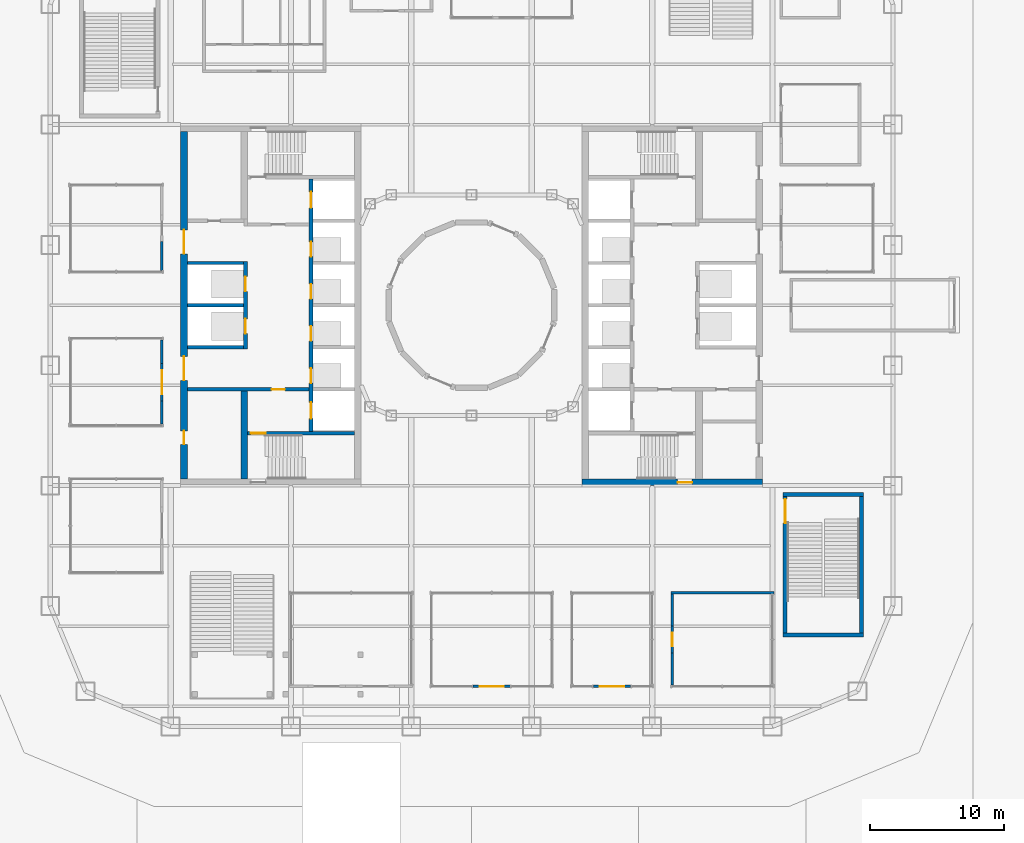
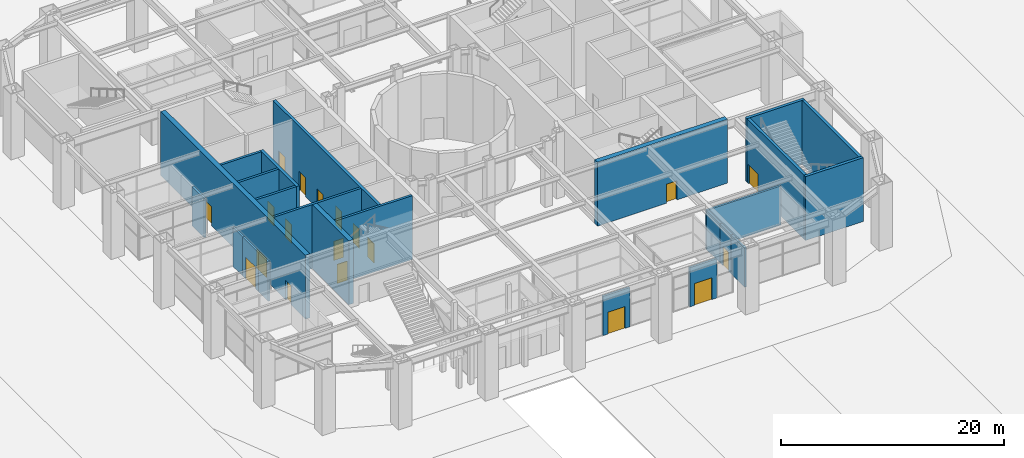
# One storey, part 13 of 20: 24 walls, 19 doors, 19 openings.
"""IFC4 building model written with IfcOpenShell, lengths in metres."""

from ifc_helpers import new_model, si_unit, direction, frame, frame_2d, origin, place, context, subcontext, project, spatial, rectangle, extrude, material, layer, layer_set, type_object, element, fill, save


model = new_model("IFC4")

# Units and contexts
model_context = context("Model", 3, precision=1e-05, world=origin(), true_north=direction((0.0, 1.0)))
body_context = subcontext(model_context, "Body", "Model", "MODEL_VIEW")
ifc_project = project(units=[si_unit("LENGTHUNIT", "METRE"), si_unit("AREAUNIT", "SQUARE_METRE"), si_unit("VOLUMEUNIT", "CUBIC_METRE"), si_unit("PLANEANGLEUNIT", "RADIAN"), si_unit("MASSUNIT", "GRAM", prefix="KILO")], contexts=[model_context])

# Site, building, storey
site_placement = place(None, origin())
site = spatial("IfcSite", under=ifc_project, at=site_placement, CompositionType="ELEMENT")
building_placement = place(site_placement, origin())
building = spatial("IfcBuilding", under=site, at=building_placement, Name="Siwar Civic Tower", CompositionType="ELEMENT")
storey_placement = place(building_placement, origin())
storey = spatial("IfcBuildingStorey", under=building, at=storey_placement, Name="L00", CompositionType="ELEMENT", Elevation=0.0)

# Wall, opening, door
ifc_material_1 = material(Name="Concrete C60/75", Category="concrete")
ifc_layer_1 = layer(ifc_material_1, 0.25)
ifc_layer_set_1 = layer_set([ifc_layer_1], Name="Concrete C60/75")
wall_type_1 = type_object("IfcWallType", Name="CORE-WALL-RC250", PredefinedType="SHEAR", material=ifc_layer_set_1)
wall_1_placement = place(storey_placement, frame((-12.14990234375, -6.300048828125, 0.0), z_axis=(0.0, 0.0, 1.0), x_axis=(-1.0, 0.0, 0.0)))
wall_1 = element("IfcWall", 1, at=wall_1_placement, inside=storey, type_object=wall_type_1, Name="Core wall W", PredefinedType="SHEAR", context=body_context, shape_type="SweptSolid", body=[
    extrude(rectangle(XDim=9.10009765625, YDim=0.25, at=frame_2d((4.550048828125, 0.0))), origin(), (0.0, 0.0, 1.0), 7.0),
])
opening_1_placement = place(wall_1_placement, frame((1.800048828125, 0.0, 0.0)))
opening_1 = element("IfcOpeningElement", 2, at=opening_1_placement, cuts=wall_1, Name="Opening L00-CW02", PredefinedType="OPENING", context=body_context, shape_type="SweptSolid", body=[
    extrude(rectangle(XDim=1.0, YDim=2.10009765625, at=frame_2d((0.5, 1.050048828125))), frame((0.0, 0.135009765625, 0.0), z_axis=(0.0, -1.0, 0.0), x_axis=(1.0, 0.0, 0.0)), (0.0, 0.0, 1.0), 0.27001953125),
])
ifc_material_2 = material(Name="Steel door leaf", Category="steel")
door_type_1 = type_object("IfcDoorType", Name="CORE-DOOR-FD30S", OperationType="SINGLE_SWING_LEFT", PredefinedType="DOOR", material=ifc_material_2)
door_1_placement = place(opening_1_placement, origin())
door_1 = element("IfcDoor", 3, at=door_1_placement, inside=storey, type_object=door_type_1, Name="Service lobby door L00-CW02", OperationType="SINGLE_SWING_RIGHT", OverallHeight=2.10009765625, OverallWidth=1.0, PredefinedType="DOOR", context=body_context, shape_type="SweptSolid", body=[
    extrude(rectangle(XDim=1.0, YDim=2.10009765625, at=frame_2d((0.5, 1.050048828125))), frame((0.0, 0.02490234375, 0.0), z_axis=(0.0, -1.0, 0.0), x_axis=(1.0, 0.0, 0.0)), (0.0, 0.0, 1.0), 0.050048828125),
])
fill(opening_1, door_1)

# Walls
for number, where, z_axis, x_axis, name in (
    (4, (-17.050048828125, 0.0, 0.0), (0.0, 0.0, 1.0), (-1.0, 0.0, 0.0), "Core wall W"),
    (5, (-17.050048828125, 3.14990234375, 0.0), (0.0, 0.0, 1.0), (-1.0, 0.0, 0.0), "Core wall W"),
    (6, (-17.050048828125, -3.14990234375, 0.0), (0.0, 0.0, 1.0), (-1.0, 0.0, 0.0), "Core wall W"),
):
    element("IfcWall", number, at=place(storey_placement, frame(where, z_axis=z_axis, x_axis=x_axis)), inside=storey, type_object=wall_type_1, Name=name, PredefinedType="SHEAR", context=body_context, shape_type="SweptSolid", body=[
        extrude(rectangle(XDim=4.199951171875, YDim=0.25, at=frame_2d((2.10009765625, 0.0))), origin(), (0.0, 0.0, 1.0), 7.0),
    ])

# Wall, opening, door
wall_2_placement = place(storey_placement, frame((-8.75, -9.574951171875, 0.0), z_axis=(0.0, 0.0, 1.0), x_axis=(-1.0, 0.0, 0.0)))
wall_2 = element("IfcWall", 7, at=wall_2_placement, inside=storey, type_object=wall_type_1, Name="Core wall W", PredefinedType="SHEAR", context=body_context, shape_type="SweptSolid", body=[
    extrude(rectangle(XDim=8.0, YDim=0.25, at=frame_2d((4.0, 0.0))), origin(), (0.0, 0.0, 1.0), 7.0),
])
opening_2_placement = place(wall_2_placement, frame((6.64990234375, 0.0, 0.0)))
opening_2 = element("IfcOpeningElement", 8, at=opening_2_placement, cuts=wall_2, Name="Opening L00-CW04", PredefinedType="OPENING", context=body_context, shape_type="SweptSolid", body=[
    extrude(rectangle(XDim=1.10009765625, YDim=2.10009765625, at=frame_2d((0.550048828125, 1.050048828125))), frame((0.0, 0.135009765625, 0.0), z_axis=(0.0, -1.0, 0.0), x_axis=(1.0, 0.0, 0.0)), (0.0, 0.0, 1.0), 0.27001953125),
])
ifc_material_3 = material(Name="Steel door leaf", Category="steel")
door_type_2 = type_object("IfcDoorType", Name="CORE-DOOR-FD60S", OperationType="SINGLE_SWING_LEFT", PredefinedType="DOOR", material=ifc_material_3)
door_2_placement = place(opening_2_placement, origin())
door_2 = element("IfcDoor", 9, at=door_2_placement, inside=storey, type_object=door_type_2, Name="Stair door L00-CW04", OperationType="SINGLE_SWING_LEFT", OverallHeight=2.10009765625, OverallWidth=1.10009765625, PredefinedType="DOOR", context=body_context, shape_type="SweptSolid", body=[
    extrude(rectangle(XDim=1.10009765625, YDim=2.10009765625, at=frame_2d((0.550048828125, 1.050048828125))), frame((0.0, 0.02490234375, 0.0), z_axis=(0.0, -1.0, 0.0), x_axis=(1.0, 0.0, 0.0)), (0.0, 0.0, 1.0), 0.050048828125),
])
fill(opening_2, door_2)

# Wall, openings, doors
ifc_material_4 = material(Name="Concrete C60/75", Category="concrete")
ifc_layer_2 = layer(ifc_material_4, 0.300048828125)
ifc_layer_set_2 = layer_set([ifc_layer_2], Name="Concrete C60/75")
wall_type_2 = type_object("IfcWallType", Name="CORE-WALL-RC300", PredefinedType="SHEAR", material=ifc_layer_set_2)
wall_3_placement = place(storey_placement, frame((-12.0, -9.449951171875, 0.0), z_axis=(0.0, 0.0, 1.0), x_axis=(0.0, 1.0, 0.0)))
wall_3 = element("IfcWall", 10, at=wall_3_placement, inside=storey, type_object=wall_type_2, Name="Core wall W", PredefinedType="SHEAR", context=body_context, shape_type="SweptSolid", body=[
    extrude(rectangle(XDim=18.89990234375, YDim=0.300048828125, at=frame_2d((9.449951171875, 0.0))), origin(), (0.0, 0.0, 1.0), 7.0),
])
opening_3_placement = place(wall_3_placement, frame((3.625, 0.0, 0.0)))
opening_3 = element("IfcOpeningElement", 11, at=opening_3_placement, cuts=wall_3, Name="Opening L00-CW09", PredefinedType="OPENING", context=body_context, shape_type="SweptSolid", body=[
    extrude(rectangle(XDim=1.10009765625, YDim=2.10009765625, at=frame_2d((0.550048828125, 1.050048828125))), frame((0.0, 0.16015625, 0.0), z_axis=(0.0, -1.0, 0.0), x_axis=(1.0, 0.0, 0.0)), (0.0, 0.0, 1.0), 0.320068359375),
])
opening_4_placement = place(wall_3_placement, frame((6.77490234375, 0.0, 0.0)))
opening_4 = element("IfcOpeningElement", 12, at=opening_4_placement, cuts=wall_3, Name="Opening L00-CW10", PredefinedType="OPENING", context=body_context, shape_type="SweptSolid", body=[
    extrude(rectangle(XDim=1.10009765625, YDim=2.10009765625, at=frame_2d((0.550048828125, 1.050048828125))), frame((0.0, 0.16015625, 0.0), z_axis=(0.0, -1.0, 0.0), x_axis=(1.0, 0.0, 0.0)), (0.0, 0.0, 1.0), 0.320068359375),
])
opening_5_placement = place(wall_3_placement, frame((9.925048828125, 0.0, 0.0)))
opening_5 = element("IfcOpeningElement", 13, at=opening_5_placement, cuts=wall_3, Name="Opening L00-CW11", PredefinedType="OPENING", context=body_context, shape_type="SweptSolid", body=[
    extrude(rectangle(XDim=1.10009765625, YDim=2.10009765625, at=frame_2d((0.550048828125, 1.050048828125))), frame((0.0, 0.16015625, 0.0), z_axis=(0.0, -1.0, 0.0), x_axis=(1.0, 0.0, 0.0)), (0.0, 0.0, 1.0), 0.320068359375),
])
opening_6_placement = place(wall_3_placement, frame((13.074951171875, 0.0, 0.0)))
opening_6 = element("IfcOpeningElement", 14, at=opening_6_placement, cuts=wall_3, Name="Opening L00-CW12", PredefinedType="OPENING", context=body_context, shape_type="SweptSolid", body=[
    extrude(rectangle(XDim=1.10009765625, YDim=2.10009765625, at=frame_2d((0.550048828125, 1.050048828125))), frame((0.0, 0.16015625, 0.0), z_axis=(0.0, -1.0, 0.0), x_axis=(1.0, 0.0, 0.0)), (0.0, 0.0, 1.0), 0.320068359375),
])
opening_7_placement = place(wall_3_placement, frame((16.72509765625, 0.0, 0.0)))
opening_7 = element("IfcOpeningElement", 15, at=opening_7_placement, cuts=wall_3, Name="Opening L00-CW15", PredefinedType="OPENING", context=body_context, shape_type="SweptSolid", body=[
    extrude(rectangle(XDim=1.199951171875, YDim=2.10009765625, at=frame_2d((0.60009765625, 1.050048828125))), frame((0.0, 0.16015625, 0.0), z_axis=(0.0, -1.0, 0.0), x_axis=(1.0, 0.0, 0.0)), (0.0, 0.0, 1.0), 0.320068359375),
])
opening_8_placement = place(wall_3_placement, frame((0.97509765625, 0.0, 0.0)))
opening_8 = element("IfcOpeningElement", 16, at=opening_8_placement, cuts=wall_3, Name="Opening L00-CW16", PredefinedType="OPENING", context=body_context, shape_type="SweptSolid", body=[
    extrude(rectangle(XDim=1.199951171875, YDim=2.10009765625, at=frame_2d((0.60009765625, 1.050048828125))), frame((0.0, 0.16015625, 0.0), z_axis=(0.0, -1.0, 0.0), x_axis=(1.0, 0.0, 0.0)), (0.0, 0.0, 1.0), 0.320068359375),
])
ifc_material_5 = material(Name="Steel door leaf", Category="steel")
door_type_3 = type_object("IfcDoorType", Name="CORE-DOOR-LD", OperationType="DOUBLE_DOOR_SLIDING", PredefinedType="DOOR", material=ifc_material_5)
door_3_placement = place(opening_3_placement, origin())
door_3 = element("IfcDoor", 17, at=door_3_placement, inside=storey, type_object=door_type_3, Name="Landing door LR1 L00-CW09", OperationType="DOUBLE_DOOR_SLIDING", OverallHeight=2.10009765625, OverallWidth=1.10009765625, PredefinedType="DOOR", context=body_context, shape_type="SweptSolid", body=[
    extrude(rectangle(XDim=1.10009765625, YDim=2.10009765625, at=frame_2d((0.550048828125, 1.050048828125))), frame((0.0, 0.02490234375, 0.0), z_axis=(0.0, -1.0, 0.0), x_axis=(1.0, 0.0, 0.0)), (0.0, 0.0, 1.0), 0.050048828125),
])
fill(opening_3, door_3)
door_4_placement = place(opening_4_placement, origin())
door_4 = element("IfcDoor", 18, at=door_4_placement, inside=storey, type_object=door_type_3, Name="Landing door LR2 L00-CW10", OperationType="DOUBLE_DOOR_SLIDING", OverallHeight=2.10009765625, OverallWidth=1.10009765625, PredefinedType="DOOR", context=body_context, shape_type="SweptSolid", body=[
    extrude(rectangle(XDim=1.10009765625, YDim=2.10009765625, at=frame_2d((0.550048828125, 1.050048828125))), frame((0.0, 0.02490234375, 0.0), z_axis=(0.0, -1.0, 0.0), x_axis=(1.0, 0.0, 0.0)), (0.0, 0.0, 1.0), 0.050048828125),
])
fill(opening_4, door_4)
door_5_placement = place(opening_5_placement, origin())
door_5 = element("IfcDoor", 19, at=door_5_placement, inside=storey, type_object=door_type_3, Name="Landing door LR3 L00-CW11", OperationType="DOUBLE_DOOR_SLIDING", OverallHeight=2.10009765625, OverallWidth=1.10009765625, PredefinedType="DOOR", context=body_context, shape_type="SweptSolid", body=[
    extrude(rectangle(XDim=1.10009765625, YDim=2.10009765625, at=frame_2d((0.550048828125, 1.050048828125))), frame((0.0, 0.02490234375, 0.0), z_axis=(0.0, -1.0, 0.0), x_axis=(1.0, 0.0, 0.0)), (0.0, 0.0, 1.0), 0.050048828125),
])
fill(opening_5, door_5)
door_6_placement = place(opening_6_placement, origin())
door_6 = element("IfcDoor", 20, at=door_6_placement, inside=storey, type_object=door_type_3, Name="Landing door LR4 L00-CW12", OperationType="DOUBLE_DOOR_SLIDING", OverallHeight=2.10009765625, OverallWidth=1.10009765625, PredefinedType="DOOR", context=body_context, shape_type="SweptSolid", body=[
    extrude(rectangle(XDim=1.10009765625, YDim=2.10009765625, at=frame_2d((0.550048828125, 1.050048828125))), frame((0.0, 0.02490234375, 0.0), z_axis=(0.0, -1.0, 0.0), x_axis=(1.0, 0.0, 0.0)), (0.0, 0.0, 1.0), 0.050048828125),
])
fill(opening_6, door_6)
ifc_material_6 = material(Name="Steel door leaf", Category="steel")
door_type_4 = type_object("IfcDoorType", Name="CORE-DOOR-LDW", OperationType="DOUBLE_DOOR_SLIDING", PredefinedType="DOOR", material=ifc_material_6)
door_7_placement = place(opening_7_placement, origin())
door_7 = element("IfcDoor", 21, at=door_7_placement, inside=storey, type_object=door_type_4, Name="Landing door FF1 L00-CW15", OperationType="DOUBLE_DOOR_SLIDING", OverallHeight=2.10009765625, OverallWidth=1.199951171875, PredefinedType="DOOR", context=body_context, shape_type="SweptSolid", body=[
    extrude(rectangle(XDim=1.199951171875, YDim=2.10009765625, at=frame_2d((0.60009765625, 1.050048828125))), frame((0.0, 0.02490234375, 0.0), z_axis=(0.0, -1.0, 0.0), x_axis=(1.0, 0.0, 0.0)), (0.0, 0.0, 1.0), 0.050048828125),
])
fill(opening_7, door_7)
door_8_placement = place(opening_8_placement, origin())
door_8 = element("IfcDoor", 22, at=door_8_placement, inside=storey, type_object=door_type_4, Name="Landing door SV1 L00-CW16", OperationType="DOUBLE_DOOR_SLIDING", OverallHeight=2.10009765625, OverallWidth=1.199951171875, PredefinedType="DOOR", context=body_context, shape_type="SweptSolid", body=[
    extrude(rectangle(XDim=1.199951171875, YDim=2.10009765625, at=frame_2d((0.60009765625, 1.050048828125))), frame((0.0, 0.02490234375, 0.0), z_axis=(0.0, -1.0, 0.0), x_axis=(1.0, 0.0, 0.0)), (0.0, 0.0, 1.0), 0.050048828125),
])
fill(opening_8, door_8)

wall_4_placement = place(storey_placement, frame((-16.89990234375, -3.27490234375, 0.0), z_axis=(0.0, 0.0, 1.0), x_axis=(0.0, 1.0, 0.0)))
wall_4 = element("IfcWall", 23, at=wall_4_placement, inside=storey, type_object=wall_type_2, Name="Core wall W", PredefinedType="SHEAR", context=body_context, shape_type="SweptSolid", body=[
    extrude(rectangle(XDim=6.5498046875, YDim=0.300048828125, at=frame_2d((3.27490234375, 0.0))), origin(), (0.0, 0.0, 1.0), 7.0),
])
opening_9_placement = place(wall_4_placement, frame((1.14990234375, 0.0, 0.0)))
opening_9 = element("IfcOpeningElement", 24, at=opening_9_placement, cuts=wall_4, Name="Opening L00-CW13", PredefinedType="OPENING", context=body_context, shape_type="SweptSolid", body=[
    extrude(rectangle(XDim=1.10009765625, YDim=2.10009765625, at=frame_2d((0.550048828125, 1.050048828125))), frame((0.0, 0.16015625, 0.0), z_axis=(0.0, -1.0, 0.0), x_axis=(1.0, 0.0, 0.0)), (0.0, 0.0, 1.0), 0.320068359375),
])
opening_10_placement = place(wall_4_placement, frame((4.300048828125, 0.0, 0.0)))
opening_10 = element("IfcOpeningElement", 25, at=opening_10_placement, cuts=wall_4, Name="Opening L00-CW14", PredefinedType="OPENING", context=body_context, shape_type="SweptSolid", body=[
    extrude(rectangle(XDim=1.10009765625, YDim=2.10009765625, at=frame_2d((0.550048828125, 1.050048828125))), frame((0.0, 0.16015625, 0.0), z_axis=(0.0, -1.0, 0.0), x_axis=(1.0, 0.0, 0.0)), (0.0, 0.0, 1.0), 0.320068359375),
])
door_9_placement = place(opening_9_placement, origin())
door_9 = element("IfcDoor", 26, at=door_9_placement, inside=storey, type_object=door_type_3, Name="Landing door SH1 L00-CW13", OperationType="DOUBLE_DOOR_SLIDING", OverallHeight=2.10009765625, OverallWidth=1.10009765625, PredefinedType="DOOR", context=body_context, shape_type="SweptSolid", body=[
    extrude(rectangle(XDim=1.10009765625, YDim=2.10009765625, at=frame_2d((0.550048828125, 1.050048828125))), frame((0.0, 0.02490234375, 0.0), z_axis=(0.0, -1.0, 0.0), x_axis=(1.0, 0.0, 0.0)), (0.0, 0.0, 1.0), 0.050048828125),
])
fill(opening_9, door_9)
door_10_placement = place(opening_10_placement, origin())
door_10 = element("IfcDoor", 27, at=door_10_placement, inside=storey, type_object=door_type_3, Name="Landing door SH2 L00-CW14", OperationType="DOUBLE_DOOR_SLIDING", OverallHeight=2.10009765625, OverallWidth=1.10009765625, PredefinedType="DOOR", context=body_context, shape_type="SweptSolid", body=[
    extrude(rectangle(XDim=1.10009765625, YDim=2.10009765625, at=frame_2d((0.550048828125, 1.050048828125))), frame((0.0, 0.02490234375, 0.0), z_axis=(0.0, -1.0, 0.0), x_axis=(1.0, 0.0, 0.0)), (0.0, 0.0, 1.0), 0.050048828125),
])
fill(opening_10, door_10)

# Wall
ifc_material_7 = material(Name="Concrete C60/75", Category="concrete")
ifc_layer_3 = layer(ifc_material_7, 0.5)
ifc_layer_set_3 = layer_set([ifc_layer_3], Name="Concrete C60/75")
wall_type_3 = type_object("IfcWallType", Name="CORE-WALL-RC500", PredefinedType="SHEAR", material=ifc_layer_set_3)
wall_5_placement = place(storey_placement, frame((-17.0, -13.0, 0.0), z_axis=(0.0, 0.0, 1.0), x_axis=(0.0, 1.0, 0.0)))
element("IfcWall", 28, at=wall_5_placement, inside=storey, type_object=wall_type_3, Name="Core wall W", PredefinedType="SHEAR", context=body_context, shape_type="SweptSolid", body=[
    extrude(rectangle(XDim=6.574951171875, YDim=0.5, at=frame_2d((3.28759765625, 0.0))), origin(), (0.0, 0.0, 1.0), 7.0),
])

# Wall, openings, doors
ifc_material_8 = material(Name="Concrete C60/75", Category="concrete")
ifc_layer_4 = layer(ifc_material_8, 0.5)
ifc_layer_set_4 = layer_set([ifc_layer_4], Name="Concrete C60/75")
wall_type_4 = type_object("IfcWallType", Name="CORE-WALL-RC500-EXT", PredefinedType="SHEAR", material=ifc_layer_set_4)
wall_6_placement = place(storey_placement, frame((-21.5, -13.0, 0.0), z_axis=(0.0, 0.0, 1.0), x_axis=(0.0, 1.0, 0.0)))
wall_6 = element("IfcWall", 29, at=wall_6_placement, inside=storey, type_object=wall_type_4, Name="Core wall W", PredefinedType="SHEAR", context=body_context, shape_type="SweptSolid", body=[
    extrude(rectangle(XDim=26.0, YDim=0.5, at=frame_2d((13.0, 0.0))), origin(), (0.0, 0.0, 1.0), 7.0),
])
opening_11_placement = place(wall_6_placement, frame((16.824951171875, 0.0, 0.0)))
opening_11 = element("IfcOpeningElement", 30, at=opening_11_placement, cuts=wall_6, Name="Opening L00-CW05", PredefinedType="OPENING", context=body_context, shape_type="SweptSolid", body=[
    extrude(rectangle(XDim=1.800048828125, YDim=2.10009765625, at=frame_2d((0.89990234375, 1.050048828125))), frame((0.0, 0.260009765625, 0.0), z_axis=(0.0, -1.0, 0.0), x_axis=(1.0, 0.0, 0.0)), (0.0, 0.0, 1.0), 0.52001953125),
])
opening_12_placement = place(wall_6_placement, frame((7.375, 0.0, 0.0)))
opening_12 = element("IfcOpeningElement", 31, at=opening_12_placement, cuts=wall_6, Name="Opening L00-CW06", PredefinedType="OPENING", context=body_context, shape_type="SweptSolid", body=[
    extrude(rectangle(XDim=1.800048828125, YDim=2.10009765625, at=frame_2d((0.89990234375, 1.050048828125))), frame((0.0, 0.260009765625, 0.0), z_axis=(0.0, -1.0, 0.0), x_axis=(1.0, 0.0, 0.0)), (0.0, 0.0, 1.0), 0.52001953125),
])
opening_13_placement = place(wall_6_placement, frame((2.60009765625, 0.0, 0.0)))
opening_13 = element("IfcOpeningElement", 32, at=opening_13_placement, cuts=wall_6, Name="Opening L00-CW18", PredefinedType="OPENING", context=body_context, shape_type="SweptSolid", body=[
    extrude(rectangle(XDim=1.0, YDim=2.10009765625, at=frame_2d((0.5, 1.050048828125))), frame((0.0, 0.260009765625, 0.0), z_axis=(0.0, -1.0, 0.0), x_axis=(1.0, 0.0, 0.0)), (0.0, 0.0, 1.0), 0.52001953125),
])
ifc_material_9 = material(Name="Steel door leaf", Category="steel")
door_type_5 = type_object("IfcDoorType", Name="CORE-DOOR-PORT-EXT", OperationType="DOUBLE_DOOR_DOUBLE_SWING", PredefinedType="DOOR", material=ifc_material_9)
door_11_placement = place(opening_11_placement, origin())
door_11 = element("IfcDoor", 33, at=door_11_placement, inside=storey, type_object=door_type_5, Name="Main entrance L00-CW05", OperationType="DOUBLE_DOOR_DOUBLE_SWING", OverallHeight=2.10009765625, OverallWidth=1.800048828125, PredefinedType="DOOR", context=body_context, shape_type="SweptSolid", body=[
    extrude(rectangle(XDim=1.800048828125, YDim=2.10009765625, at=frame_2d((0.89990234375, 1.050048828125))), frame((0.0, 0.02490234375, 0.0), z_axis=(0.0, -1.0, 0.0), x_axis=(1.0, 0.0, 0.0)), (0.0, 0.0, 1.0), 0.050048828125),
])
fill(opening_11, door_11)
door_12_placement = place(opening_12_placement, origin())
door_12 = element("IfcDoor", 34, at=door_12_placement, inside=storey, type_object=door_type_5, Name="Main entrance L00-CW06", OperationType="DOUBLE_DOOR_DOUBLE_SWING", OverallHeight=2.10009765625, OverallWidth=1.800048828125, PredefinedType="DOOR", context=body_context, shape_type="SweptSolid", body=[
    extrude(rectangle(XDim=1.800048828125, YDim=2.10009765625, at=frame_2d((0.89990234375, 1.050048828125))), frame((0.0, 0.02490234375, 0.0), z_axis=(0.0, -1.0, 0.0), x_axis=(1.0, 0.0, 0.0)), (0.0, 0.0, 1.0), 0.050048828125),
])
fill(opening_12, door_12)
ifc_material_10 = material(Name="Steel door leaf", Category="steel")
door_type_6 = type_object("IfcDoorType", Name="CORE-DOOR-ROOM-EXT", OperationType="SINGLE_SWING_LEFT", PredefinedType="DOOR", material=ifc_material_10)
door_13_placement = place(opening_13_placement, origin())
door_13 = element("IfcDoor", 35, at=door_13_placement, inside=storey, type_object=door_type_6, Name="Core room door L00-CW18", OperationType="SINGLE_SWING_RIGHT", OverallHeight=2.10009765625, OverallWidth=1.0, PredefinedType="DOOR", context=body_context, shape_type="SweptSolid", body=[
    extrude(rectangle(XDim=1.0, YDim=2.10009765625, at=frame_2d((0.5, 1.050048828125))), frame((0.0, 0.02490234375, 0.0), z_axis=(0.0, -1.0, 0.0), x_axis=(1.0, 0.0, 0.0)), (0.0, 0.0, 1.0), 0.050048828125),
])
fill(opening_13, door_13)

# Wall, opening, door
wall_7_placement = place(storey_placement, frame((8.25, -13.25, 0.0), z_axis=(0.0, 0.0, 1.0), x_axis=(1.0, 0.0, 0.0)))
wall_7 = element("IfcWall", 36, at=wall_7_placement, inside=storey, type_object=wall_type_4, Name="Core wall E", PredefinedType="SHEAR", context=body_context, shape_type="SweptSolid", body=[
    extrude(rectangle(XDim=13.5, YDim=0.5, at=frame_2d((6.75, 0.0))), origin(), (0.0, 0.0, 1.0), 7.0),
])
opening_14_placement = place(wall_7_placement, frame((7.14990234375, 0.0, 0.0)))
opening_14 = element("IfcOpeningElement", 37, at=opening_14_placement, cuts=wall_7, Name="Opening L00-CE08", PredefinedType="OPENING", context=body_context, shape_type="SweptSolid", body=[
    extrude(rectangle(XDim=1.10009765625, YDim=2.10009765625, at=frame_2d((0.550048828125, 1.050048828125))), frame((0.0, 0.260009765625, 0.0), z_axis=(0.0, -1.0, 0.0), x_axis=(1.0, 0.0, 0.0)), (0.0, 0.0, 1.0), 0.52001953125),
])
ifc_material_11 = material(Name="Steel door leaf", Category="steel")
door_type_7 = type_object("IfcDoorType", Name="CORE-DOOR-FD60S-EXT", OperationType="SINGLE_SWING_LEFT", PredefinedType="DOOR", material=ifc_material_11)
door_14_placement = place(opening_14_placement, frame((1.10009765625, 0.0, 0.0), z_axis=(0.0, 0.0, 1.0), x_axis=(-1.0, 0.0, 0.0)))
door_14 = element("IfcDoor", 38, at=door_14_placement, inside=storey, type_object=door_type_7, Name="Main exit ST4 L00-CE08", OperationType="SINGLE_SWING_LEFT", OverallHeight=2.10009765625, OverallWidth=1.10009765625, PredefinedType="DOOR", context=body_context, shape_type="SweptSolid", body=[
    extrude(rectangle(XDim=1.10009765625, YDim=2.10009765625, at=frame_2d((0.550048828125, 1.050048828125))), frame((0.0, 0.025146484375, 0.0), z_axis=(0.0, -1.0, 0.0), x_axis=(1.0, 0.0, 0.0)), (0.0, 0.0, 1.0), 0.050048828125),
])
fill(opening_14, door_14)

ifc_material_12 = material(Name="Concrete C60/75", Category="concrete")
ifc_layer_5 = layer(ifc_material_12, 0.300048828125)
ifc_layer_set_5 = layer_set([ifc_layer_5], Name="Concrete C60/75")
wall_type_5 = type_object("IfcWallType", Name="GND-ES-WALL", PredefinedType="SHEAR", material=ifc_layer_set_5)
wall_8_placement = place(storey_placement, frame((23.449951171875, -14.300048828125, 0.0), z_axis=(0.0, 0.0, 1.0), x_axis=(0.0, -1.0, 0.0)))
wall_8 = element("IfcWall", 39, at=wall_8_placement, inside=storey, type_object=wall_type_5, Name="Stair wall ST6", PredefinedType="SHEAR", context=body_context, shape_type="SweptSolid", body=[
    extrude(rectangle(XDim=10.199951171875, YDim=0.300048828125, at=frame_2d((5.10009765625, 0.0))), origin(), (0.0, 0.0, 1.0), 7.0),
])
opening_15_placement = place(wall_8_placement, frame((0.199951171875, 0.0, 0.0)))
opening_15 = element("IfcOpeningElement", 40, at=opening_15_placement, cuts=wall_8, Name="Opening SX1", PredefinedType="OPENING", context=body_context, shape_type="SweptSolid", body=[
    extrude(rectangle(XDim=1.800048828125, YDim=2.10009765625, at=frame_2d((0.89990234375, 1.050048828125))), frame((0.0, 0.16015625, 0.0), z_axis=(0.0, -1.0, 0.0), x_axis=(1.0, 0.0, 0.0)), (0.0, 0.0, 1.0), 0.320068359375),
])
ifc_material_13 = material(Name="Steel door leaf", Category="steel")
door_type_8 = type_object("IfcDoorType", Name="GND-ES-DOOR", OperationType="DOUBLE_DOOR_SINGLE_SWING", PredefinedType="DOOR", material=ifc_material_13)
door_15_placement = place(opening_15_placement, frame((1.800048828125, 0.0, 0.0), z_axis=(0.0, 0.0, 1.0), x_axis=(-1.0, 0.0, 0.0)))
door_15 = element("IfcDoor", 41, at=door_15_placement, inside=storey, type_object=door_type_8, Name="Main exit ST6", OperationType="DOUBLE_DOOR_SINGLE_SWING", OverallHeight=2.10009765625, OverallWidth=1.800048828125, PredefinedType="DOOR", context=body_context, shape_type="SweptSolid", body=[
    extrude(rectangle(XDim=1.800048828125, YDim=2.10009765625, at=frame_2d((0.900146484375, 1.050048828125))), frame((0.0, 0.025146484375, 0.0), z_axis=(0.0, -1.0, 0.0), x_axis=(1.0, 0.0, 0.0)), (0.0, 0.0, 1.0), 0.050048828125),
])
fill(opening_15, door_15)

# Walls
for number, where, z_axis, x_axis, name in (
    (42, (29.300048828125, -24.64990234375, 0.0), (0.0, 0.0, 1.0), (-1.0, 0.0, 0.0), "Stair wall ST6"),
    (43, (29.300048828125, -14.14990234375, 0.0), (0.0, 0.0, 1.0), (-1.0, 0.0, 0.0), "Stair wall ST6"),
):
    element("IfcWall", number, at=place(storey_placement, frame(where, z_axis=z_axis, x_axis=x_axis)), inside=storey, type_object=wall_type_5, Name=name, PredefinedType="SHEAR", context=body_context, shape_type="SweptSolid", body=[
        extrude(rectangle(XDim=6.0, YDim=0.300048828125, at=frame_2d((3.0, 0.0))), origin(), (0.0, 0.0, 1.0), 7.0),
    ])
wall_9_placement = place(storey_placement, frame((29.14990234375, -14.300048828125, 0.0), z_axis=(0.0, 0.0, 1.0), x_axis=(0.0, -1.0, 0.0)))
element("IfcWall", 44, at=wall_9_placement, inside=storey, type_object=wall_type_5, Name="Stair wall ST6", PredefinedType="SHEAR", context=body_context, shape_type="SweptSolid", body=[
    extrude(rectangle(XDim=10.199951171875, YDim=0.300048828125, at=frame_2d((5.10009765625, 0.0))), origin(), (0.0, 0.0, 1.0), 7.0),
])
ifc_material_14 = material(Name="Insulated blockwork", Category="masonry")
ifc_layer_6 = layer(ifc_material_14, 0.199951171875)
ifc_layer_set_6 = layer_set([ifc_layer_6], Name="Insulated blockwork")
wall_type_6 = type_object("IfcWallType", Name="GND-POD-WALL", PredefinedType="SOLIDWALL", material=ifc_layer_set_6)
wall_10_placement = place(storey_placement, frame((-23.14990234375, -8.89990234375, 0.0), z_axis=(0.0, 0.0, 1.0), x_axis=(0.0, 1.0, 0.0)))
element("IfcWall", 45, at=wall_10_placement, inside=storey, type_object=wall_type_6, Name="L00/wall/P02-E2", PredefinedType="SOLIDWALL", context=body_context, shape_type="SweptSolid", body=[
    extrude(rectangle(XDim=1.75, YDim=0.199951171875, at=frame_2d((0.875, 0.0))), origin(), (0.0, 0.0, 1.0), 4.300048828125),
])

# Wall, opening, door
wall_11_placement = place(storey_placement, frame((-23.14990234375, -7.14990234375, 0.0), z_axis=(0.0, 0.0, 1.0), x_axis=(0.0, 1.0, 0.0)))
wall_11 = element("IfcWall", 46, at=wall_11_placement, inside=storey, type_object=wall_type_6, Name="L00/wall/P02-E3", PredefinedType="SOLIDWALL", context=body_context, shape_type="SweptSolid", body=[
    extrude(rectangle(XDim=2.7998046875, YDim=0.199951171875, at=frame_2d((1.39990234375, 0.0))), origin(), (0.0, 0.0, 1.0), 4.300048828125),
])
opening_16_placement = place(wall_11_placement, frame((0.5, 0.0, 0.0)))
opening_16 = element("IfcOpeningElement", 47, at=opening_16_placement, cuts=wall_11, Name="Opening GE1", PredefinedType="OPENING", context=body_context, shape_type="SweptSolid", body=[
    extrude(rectangle(XDim=1.800048828125, YDim=2.39990234375, at=frame_2d((0.89990234375, 1.199951171875))), frame((0.0, 0.10986328125, 0.0), z_axis=(0.0, -1.0, 0.0), x_axis=(1.0, 0.0, 0.0)), (0.0, 0.0, 1.0), 0.219970703125),
])
ifc_material_15 = material(Name="Aluminium and glass", Category="aluminium")
door_type_9 = type_object("IfcDoorType", Name="GND-DOOR-ENT", OperationType="DOUBLE_DOOR_SINGLE_SWING", PredefinedType="DOOR", material=ifc_material_15)
door_16_placement = place(opening_16_placement, frame((1.800048828125, 0.0, 0.0), z_axis=(0.0, 0.0, 1.0), x_axis=(-1.0, 0.0, 0.0)))
door_16 = element("IfcDoor", 48, at=door_16_placement, inside=storey, type_object=door_type_9, Name="Entrance Security screening hall", OperationType="DOUBLE_DOOR_SINGLE_SWING", OverallHeight=2.39990234375, OverallWidth=1.800048828125, PredefinedType="DOOR", context=body_context, shape_type="SweptSolid", body=[
    extrude(rectangle(XDim=1.800048828125, YDim=2.39990234375, at=frame_2d((0.900146484375, 1.199951171875))), frame((0.0, 0.025146484375, 0.0), z_axis=(0.0, -1.0, 0.0), x_axis=(1.0, 0.0, 0.0)), (0.0, 0.0, 1.0), 0.050048828125),
])
fill(opening_16, door_16)

# Wall
wall_12_placement = place(storey_placement, frame((-23.14990234375, -4.35009765625, 0.0), z_axis=(0.0, 0.0, 1.0), x_axis=(0.0, 1.0, 0.0)))
element("IfcWall", 49, at=wall_12_placement, inside=storey, type_object=wall_type_6, Name="L00/wall/P02-E4", PredefinedType="SOLIDWALL", context=body_context, shape_type="SweptSolid", body=[
    extrude(rectangle(XDim=1.75, YDim=0.199951171875, at=frame_2d((0.875, 0.0))), origin(), (0.0, 0.0, 1.0), 4.300048828125),
])

# Wall, opening, door
wall_13_placement = place(storey_placement, frame((9.10009765625, -28.5, 0.0), z_axis=(0.0, 0.0, 1.0), x_axis=(1.0, 0.0, 0.0)))
wall_13 = element("IfcWall", 50, at=wall_13_placement, inside=storey, type_object=wall_type_6, Name="L00/wall/P04-S2", PredefinedType="SOLIDWALL", context=body_context, shape_type="SweptSolid", body=[
    extrude(rectangle(XDim=2.7998046875, YDim=0.199951171875, at=frame_2d((1.39990234375, 0.0))), origin(), (0.0, 0.0, 1.0), 4.300048828125),
])
opening_17_placement = place(wall_13_placement, frame((0.5, 0.0, 0.0)))
opening_17 = element("IfcOpeningElement", 51, at=opening_17_placement, cuts=wall_13, Name="Opening GE1", PredefinedType="OPENING", context=body_context, shape_type="SweptSolid", body=[
    extrude(rectangle(XDim=1.800048828125, YDim=2.39990234375, at=frame_2d((0.89990234375, 1.199951171875))), frame((0.0, 0.10986328125, 0.0), z_axis=(0.0, -1.0, 0.0), x_axis=(1.0, 0.0, 0.0)), (0.0, 0.0, 1.0), 0.219970703125),
])
door_17_placement = place(opening_17_placement, frame((1.800048828125, 0.0, 0.0), z_axis=(0.0, 0.0, 1.0), x_axis=(-1.0, 0.0, 0.0)))
door_17 = element("IfcDoor", 52, at=door_17_placement, inside=storey, type_object=door_type_9, Name="Entrance Information and orientation", OperationType="DOUBLE_DOOR_SINGLE_SWING", OverallHeight=2.39990234375, OverallWidth=1.800048828125, PredefinedType="DOOR", context=body_context, shape_type="SweptSolid", body=[
    extrude(rectangle(XDim=1.800048828125, YDim=2.39990234375, at=frame_2d((0.900146484375, 1.199951171875))), frame((0.0, 0.025146484375, 0.0), z_axis=(0.0, -1.0, 0.0), x_axis=(1.0, 0.0, 0.0)), (0.0, 0.0, 1.0), 0.050048828125),
])
fill(opening_17, door_17)

wall_14_placement = place(storey_placement, frame((0.10009765625, -28.5, 0.0), z_axis=(0.0, 0.0, 1.0), x_axis=(1.0, 0.0, 0.0)))
wall_14 = element("IfcWall", 53, at=wall_14_placement, inside=storey, type_object=wall_type_6, Name="L00/wall/P05-S2", PredefinedType="SOLIDWALL", context=body_context, shape_type="SweptSolid", body=[
    extrude(rectangle(XDim=2.7998046875, YDim=0.199951171875, at=frame_2d((1.39990234375, 0.0))), origin(), (0.0, 0.0, 1.0), 4.300048828125),
])
opening_18_placement = place(wall_14_placement, frame((0.5, 0.0, 0.0)))
opening_18 = element("IfcOpeningElement", 54, at=opening_18_placement, cuts=wall_14, Name="Opening GE1", PredefinedType="OPENING", context=body_context, shape_type="SweptSolid", body=[
    extrude(rectangle(XDim=1.800048828125, YDim=2.39990234375, at=frame_2d((0.89990234375, 1.199951171875))), frame((0.0, 0.10986328125, 0.0), z_axis=(0.0, -1.0, 0.0), x_axis=(1.0, 0.0, 0.0)), (0.0, 0.0, 1.0), 0.219970703125),
])
door_18_placement = place(opening_18_placement, frame((1.800048828125, 0.0, 0.0), z_axis=(0.0, 0.0, 1.0), x_axis=(-1.0, 0.0, 0.0)))
door_18 = element("IfcDoor", 55, at=door_18_placement, inside=storey, type_object=door_type_9, Name="Entrance Cafe", OperationType="DOUBLE_DOOR_SINGLE_SWING", OverallHeight=2.39990234375, OverallWidth=1.800048828125, PredefinedType="DOOR", context=body_context, shape_type="SweptSolid", body=[
    extrude(rectangle(XDim=1.800048828125, YDim=2.39990234375, at=frame_2d((0.900146484375, 1.199951171875))), frame((0.0, 0.025146484375, 0.0), z_axis=(0.0, -1.0, 0.0), x_axis=(1.0, 0.0, 0.0)), (0.0, 0.0, 1.0), 0.050048828125),
])
fill(opening_18, door_18)

# Walls
wall_15_placement = place(storey_placement, frame((-23.14990234375, 2.60009765625, 0.0), z_axis=(0.0, 0.0, 1.0), x_axis=(0.0, 1.0, 0.0)))
element("IfcWall", 56, at=wall_15_placement, inside=storey, type_object=wall_type_6, Name="L00/wall/P09-E2", PredefinedType="SOLIDWALL", context=body_context, shape_type="SweptSolid", body=[
    extrude(rectangle(XDim=2.14990234375, YDim=0.199951171875, at=frame_2d((1.074951171875, 0.0))), origin(), (0.0, 0.0, 1.0), 4.300048828125),
])
wall_16_placement = place(storey_placement, frame((14.89990234375, -21.5, 0.0), z_axis=(0.0, 0.0, 1.0), x_axis=(1.0, 0.0, 0.0)))
element("IfcWall", 57, at=wall_16_placement, inside=storey, type_object=wall_type_6, Name="L00/wall/P11-N3", PredefinedType="SOLIDWALL", context=body_context, shape_type="SweptSolid", body=[
    extrude(rectangle(XDim=7.7001953125, YDim=0.199951171875, at=frame_2d((3.85009765625, 0.0))), origin(), (0.0, 0.0, 1.0), 4.300048828125),
])
wall_17_placement = place(storey_placement, frame((15.0, -28.39990234375, 0.0), z_axis=(0.0, 0.0, 1.0), x_axis=(0.0, 1.0, 0.0)))
element("IfcWall", 58, at=wall_17_placement, inside=storey, type_object=wall_type_6, Name="L00/wall/P11-W4", PredefinedType="SOLIDWALL", context=body_context, shape_type="SweptSolid", body=[
    extrude(rectangle(XDim=2.39990234375, YDim=0.199951171875, at=frame_2d((1.199951171875, 0.0))), origin(), (0.0, 0.0, 1.0), 4.300048828125),
])

# Wall, opening, door
wall_18_placement = place(storey_placement, frame((15.0, -26.0, 0.0), z_axis=(0.0, 0.0, 1.0), x_axis=(0.0, 1.0, 0.0)))
wall_18 = element("IfcWall", 59, at=wall_18_placement, inside=storey, type_object=wall_type_6, Name="L00/wall/P11-W5", PredefinedType="SOLIDWALL", context=body_context, shape_type="SweptSolid", body=[
    extrude(rectangle(XDim=2.0, YDim=0.199951171875, at=frame_2d((1.0, 0.0))), origin(), (0.0, 0.0, 1.0), 4.300048828125),
])
opening_19_placement = place(wall_18_placement, frame((0.5, 0.0, 0.0)))
opening_19 = element("IfcOpeningElement", 60, at=opening_19_placement, cuts=wall_18, Name="Opening GE2", PredefinedType="OPENING", context=body_context, shape_type="SweptSolid", body=[
    extrude(rectangle(XDim=1.0, YDim=2.10009765625, at=frame_2d((0.5, 1.050048828125))), frame((0.0, 0.10986328125, 0.0), z_axis=(0.0, -1.0, 0.0), x_axis=(1.0, 0.0, 0.0)), (0.0, 0.0, 1.0), 0.219970703125),
])
ifc_material_16 = material(Name="Steel", Category="steel")
door_type_10 = type_object("IfcDoorType", Name="GND-DOOR-SVC", OperationType="SINGLE_SWING_LEFT", PredefinedType="DOOR", material=ifc_material_16)
door_19_placement = place(opening_19_placement, origin())
door_19 = element("IfcDoor", 61, at=door_19_placement, inside=storey, type_object=door_type_10, Name="Entrance Security control room", OperationType="SINGLE_SWING_RIGHT", OverallHeight=2.10009765625, OverallWidth=1.0, PredefinedType="DOOR", context=body_context, shape_type="SweptSolid", body=[
    extrude(rectangle(XDim=1.0, YDim=2.10009765625, at=frame_2d((0.5, 1.050048828125))), frame((0.0, 0.02490234375, 0.0), z_axis=(0.0, -1.0, 0.0), x_axis=(1.0, 0.0, 0.0)), (0.0, 0.0, 1.0), 0.050048828125),
])
fill(opening_19, door_19)

# Wall
wall_19_placement = place(storey_placement, frame((15.0, -24.0, 0.0), z_axis=(0.0, 0.0, 1.0), x_axis=(0.0, 1.0, 0.0)))
element("IfcWall", 62, at=wall_19_placement, inside=storey, type_object=wall_type_6, Name="L00/wall/P11-W6", PredefinedType="SOLIDWALL", context=body_context, shape_type="SweptSolid", body=[
    extrude(rectangle(XDim=2.39990234375, YDim=0.199951171875, at=frame_2d((1.199951171875, 0.0))), origin(), (0.0, 0.0, 1.0), 4.300048828125),
])

save(model, "model.ifc")
